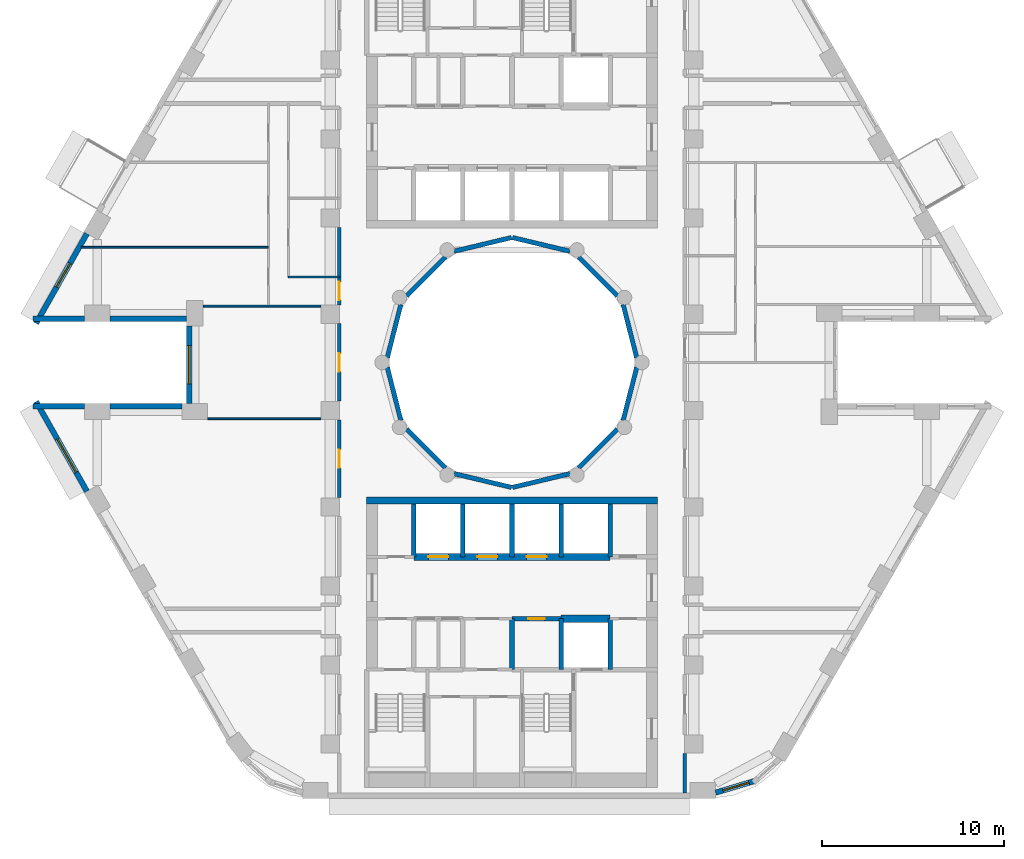
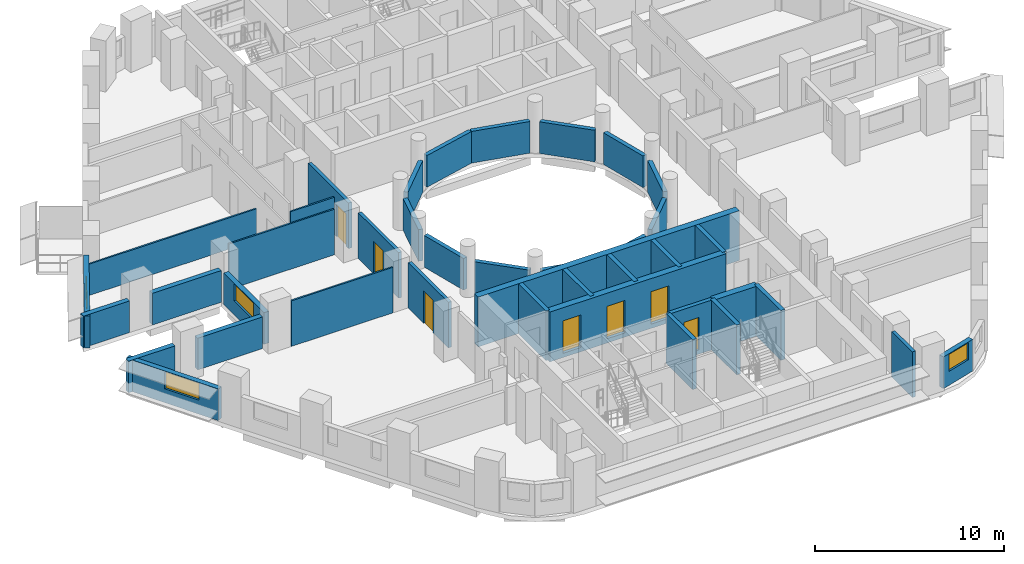
# One storey, part 4 of 14: 40 walls, 7 doors, 4 windows, 11 openings.
"""IFC4 building model written with IfcOpenShell, lengths in metres."""

from ifc_helpers import new_model, si_unit, direction, frame, frame_2d, origin, place, context, subcontext, project, spatial, rectangle, extrude, material, layer, layer_set, type_object, element, fill, save


model = new_model("IFC4")

# Units and contexts
model_context = context("Model", 3, precision=1e-05, world=origin(), true_north=direction((0.0, 1.0)))
body_context = subcontext(model_context, "Body", "Model", "MODEL_VIEW")
ifc_project = project(units=[si_unit("LENGTHUNIT", "METRE"), si_unit("AREAUNIT", "SQUARE_METRE"), si_unit("VOLUMEUNIT", "CUBIC_METRE"), si_unit("PLANEANGLEUNIT", "RADIAN"), si_unit("MASSUNIT", "GRAM", prefix="KILO")], contexts=[model_context])

# Site, building, storey
site_placement = place(None, origin())
site = spatial("IfcSite", under=ifc_project, at=site_placement, CompositionType="ELEMENT")
building_placement = place(site_placement, origin())
building = spatial("IfcBuilding", under=site, at=building_placement, Name="Nakaniwa Court", CompositionType="ELEMENT")
storey_placement = place(building_placement, frame((0.0, 0.0, 117.300048828125)))
storey = spatial("IfcBuildingStorey", under=building, at=storey_placement, Name="L31", CompositionType="ELEMENT", Elevation=117.300048828125)

# Wall
ifc_material_1 = material(Name="Acoustic double stud partition")
ifc_layer_1 = layer(ifc_material_1, 0.199951171875)
ifc_layer_set_1 = layer_set([ifc_layer_1], Name="Acoustic double stud partition")
wall_type_1 = type_object("IfcWallType", Name="Acoustic double stud partition 200", PredefinedType="PARTITIONING", material=ifc_layer_set_1)
wall_1_placement = place(storey_placement, frame((89.5, 56.300048828125, 0.0), z_axis=(0.0, 0.0, 1.0), x_axis=(0.0, 1.0, 0.0)))
element("IfcWall", 1, at=wall_1_placement, inside=storey, type_object=wall_type_1, Name="Partition PW-069", PredefinedType="PARTITIONING", context=body_context, shape_type="SweptSolid", body=[
    extrude(rectangle(XDim=2.182861328125, YDim=0.199951171875, at=frame_2d((1.09130859375, 0.0))), origin(), (0.0, 0.0, 1.0), 2.949951171875),
])

# Wall, opening, door
wall_2_placement = place(storey_placement, frame((70.5, 72.56689453125, 0.0), z_axis=(0.0, 0.0, 1.0), x_axis=(0.0, 1.0, 0.0)))
wall_2 = element("IfcWall", 2, at=wall_2_placement, inside=storey, type_object=wall_type_1, Name="Partition PW-103", PredefinedType="PARTITIONING", context=body_context, shape_type="SweptSolid", body=[
    extrude(rectangle(XDim=4.26611328125, YDim=0.199951171875, at=frame_2d((2.133056640625, 0.0))), origin(), (0.0, 0.0, 1.0), 2.949951171875),
])
opening_1_placement = place(wall_2_placement, frame((1.633056640625, 0.0, 0.0)))
opening_1 = element("IfcOpeningElement", 3, at=opening_1_placement, cuts=wall_2, Name="Opening D-02-05", PredefinedType="OPENING", context=body_context, shape_type="SweptSolid", body=[
    extrude(rectangle(XDim=1.0, YDim=2.10009765625, at=frame_2d((0.5, 1.050048828125))), frame((0.0, 0.10986328125, 0.0), z_axis=(0.0, -1.0, 0.0), x_axis=(1.0, 0.0, 0.0)), (0.0, 0.0, 1.0), 0.219970703125),
])
ifc_material_2 = material(Name="Solid core timber door set, black veneer", Category="wood")
door_type_1 = type_object("IfcDoorType", Name="Internal door 1000", OperationType="NOTDEFINED", PredefinedType="DOOR", material=ifc_material_2)
door_1_placement = place(opening_1_placement, origin())
door_1 = element("IfcDoor", 4, at=door_1_placement, inside=storey, type_object=door_type_1, Name="Door D-02-05 L31-037", OperationType="SINGLE_SWING_RIGHT", OverallHeight=2.10009765625, OverallWidth=1.0, PredefinedType="DOOR", context=body_context, shape_type="SweptSolid", body=[
    extrude(rectangle(XDim=1.0, YDim=2.10009765625, at=frame_2d((0.5, 1.050048828125))), frame((0.0, 0.02490234375, 0.0), z_axis=(0.0, -1.0, 0.0), x_axis=(1.0, 0.0, 0.0)), (0.0, 0.0, 1.0), 0.050048828125),
])
fill(opening_1, door_1)

wall_3_placement = place(storey_placement, frame((70.5, 77.866943359375, 0.0), z_axis=(0.0, 0.0, 1.0), x_axis=(0.0, 1.0, 0.0)))
wall_3 = element("IfcWall", 5, at=wall_3_placement, inside=storey, type_object=wall_type_1, Name="Partition PW-104", PredefinedType="PARTITIONING", context=body_context, shape_type="SweptSolid", body=[
    extrude(rectangle(XDim=4.26611328125, YDim=0.199951171875, at=frame_2d((2.133056640625, 0.0))), origin(), (0.0, 0.0, 1.0), 2.949951171875),
])
opening_2_placement = place(wall_3_placement, frame((1.633056640625, 0.0, 0.0)))
opening_2 = element("IfcOpeningElement", 6, at=opening_2_placement, cuts=wall_3, Name="Opening D-02-06", PredefinedType="OPENING", context=body_context, shape_type="SweptSolid", body=[
    extrude(rectangle(XDim=1.0, YDim=2.10009765625, at=frame_2d((0.5, 1.050048828125))), frame((0.0, 0.10986328125, 0.0), z_axis=(0.0, -1.0, 0.0), x_axis=(1.0, 0.0, 0.0)), (0.0, 0.0, 1.0), 0.219970703125),
])
door_2_placement = place(opening_2_placement, origin())
door_2 = element("IfcDoor", 7, at=door_2_placement, inside=storey, type_object=door_type_1, Name="Door D-02-06 L31-038", OperationType="SINGLE_SWING_LEFT", OverallHeight=2.10009765625, OverallWidth=1.0, PredefinedType="DOOR", context=body_context, shape_type="SweptSolid", body=[
    extrude(rectangle(XDim=1.0, YDim=2.10009765625, at=frame_2d((0.5, 1.050048828125))), frame((0.0, 0.02490234375, 0.0), z_axis=(0.0, -1.0, 0.0), x_axis=(1.0, 0.0, 0.0)), (0.0, 0.0, 1.0), 0.050048828125),
])
fill(opening_2, door_2)

wall_4_placement = place(storey_placement, frame((70.5, 83.1669921875, 0.0), z_axis=(0.0, 0.0, 1.0), x_axis=(0.0, 1.0, 0.0)))
wall_4 = element("IfcWall", 8, at=wall_4_placement, inside=storey, type_object=wall_type_1, Name="Partition PW-105", PredefinedType="PARTITIONING", context=body_context, shape_type="SweptSolid", body=[
    extrude(rectangle(XDim=4.26611328125, YDim=0.199951171875, at=frame_2d((2.133056640625, 0.0))), origin(), (0.0, 0.0, 1.0), 2.949951171875),
])
opening_3_placement = place(wall_4_placement, frame((0.26806640625, 0.0, 0.0)))
opening_3 = element("IfcOpeningElement", 9, at=opening_3_placement, cuts=wall_4, Name="Opening D-01-02", PredefinedType="OPENING", context=body_context, shape_type="SweptSolid", body=[
    extrude(rectangle(XDim=1.0, YDim=2.10009765625, at=frame_2d((0.5, 1.050048828125))), frame((0.0, 0.10986328125, 0.0), z_axis=(0.0, -1.0, 0.0), x_axis=(1.0, 0.0, 0.0)), (0.0, 0.0, 1.0), 0.219970703125),
])
door_type_2 = type_object("IfcDoorType", Name="Flat entrance door 1000", OperationType="NOTDEFINED", PredefinedType="DOOR", material=ifc_material_2)
door_3_placement = place(opening_3_placement, origin())
door_3 = element("IfcDoor", 10, at=door_3_placement, inside=storey, type_object=door_type_2, Name="Door D-01-02 L31-039", OperationType="SINGLE_SWING_RIGHT", OverallHeight=2.10009765625, OverallWidth=1.0, PredefinedType="DOOR", context=body_context, shape_type="SweptSolid", body=[
    extrude(rectangle(XDim=1.0, YDim=2.10009765625, at=frame_2d((0.5, 1.050048828125))), frame((0.0, 0.02490234375, 0.0), z_axis=(0.0, -1.0, 0.0), x_axis=(1.0, 0.0, 0.0)), (0.0, 0.0, 1.0), 0.050048828125),
])
fill(opening_3, door_3)

# Wall, opening, window
ifc_material_3 = material(Name="Charcoal ceramic cladding")
ifc_layer_2 = layer(ifc_material_3, 0.02, Name="Ceramic cladding")
ifc_material_4 = material(Name="Ventilated air cavity")
ifc_layer_3 = layer(ifc_material_4, 0.04, ventilated=True, Name="Ventilated cavity")
ifc_material_5 = material(Name="Mineral wool insulation")
ifc_layer_4 = layer(ifc_material_5, 0.1, Name="Insulation")
ifc_material_6 = material(Name="Cement bonded sheathing board")
ifc_layer_5 = layer(ifc_material_6, 0.012, Name="Sheathing")
ifc_material_7 = material(Name="Cold-formed galvanised stud frame with mineral wool infill")
ifc_layer_6 = layer(ifc_material_7, 0.1, Name="Stud frame")
ifc_material_8 = material(Name="Fire-rated gypsum plasterboard lining")
ifc_layer_7 = layer(ifc_material_8, 0.028, Name="Lining")
ifc_layer_set_2 = layer_set([ifc_layer_2, ifc_layer_3, ifc_layer_4, ifc_layer_5, ifc_layer_6, ifc_layer_7], Name="Charcoal ceramic faced external wall system")
wall_type_2 = type_object("IfcWallType", Name="Black ceramic faced external wall 300", PredefinedType="SOLIDWALL", material=ifc_layer_set_2)
wall_5_placement = place(storey_placement, frame((56.609375, 87.09375, 0.0), z_axis=(0.0, 0.0, 1.0), x_axis=(-0.492456858874, -0.870336855561, 0.0)))
wall_5 = element("IfcWall", 11, at=wall_5_placement, inside=storey, type_object=wall_type_2, Name="L31 external wall 14", PredefinedType="SOLIDWALL", context=body_context, shape_type="SweptSolid", body=[
    extrude(rectangle(XDim=5.676513671875, YDim=0.300048828125, at=frame_2d((2.83837890625, 0.0))), origin(), (0.0, 0.0, 1.0), 2.050048828125),
])
opening_4_placement = place(wall_5_placement, frame((1.8828125, 0.0, 0.89990234375)))
opening_4 = element("IfcOpeningElement", 12, at=opening_4_placement, cuts=wall_5, Name="Opening W5.12", PredefinedType="OPENING", context=body_context, shape_type="SweptSolid", body=[
    extrude(rectangle(XDim=1.5, YDim=1.10009765625, at=frame_2d((0.75, 0.550048828125))), frame((0.0, 0.159912109375, 0.0), z_axis=(0.0, -1.0, 0.0), x_axis=(1.0, 0.0, 0.0)), (0.0, 0.0, 1.0), 0.320068359375),
])
ifc_material_9 = material(Name="Black anodised aluminium frame with dark low-E laminated double glazing", Category="aluminium")
window_type_1 = type_object("IfcWindowType", Name="Dark glass window 1500x1100 sill 900", PartitioningType="SINGLE_PANEL", PredefinedType="WINDOW", material=ifc_material_9)
window_1_placement = place(opening_4_placement, origin())
window_1 = element("IfcWindow", 13, at=window_1_placement, inside=storey, type_object=window_type_1, Name="L31 bedroom window 14-1", OverallHeight=1.10009765625, OverallWidth=1.5, PartitioningType="SINGLE_PANEL", PredefinedType="WINDOW", context=body_context, shape_type="SweptSolid", body=[
    extrude(rectangle(XDim=1.5, YDim=1.10009765625, at=frame_2d((0.75, 0.550048828125))), frame((0.0, 0.030029296875, 0.0), z_axis=(0.0, -1.0, 0.0), x_axis=(1.0, 0.0, 0.0)), (0.0, 0.0, 1.0), 0.06005859375),
])
fill(opening_4, window_1)

# Walls
wall_6_placement = place(storey_placement, frame((53.643310546875, 82.39990234375, 0.0), z_axis=(0.0, 0.0, 1.0), x_axis=(1.0, 0.0, 0.0)))
element("IfcWall", 14, at=wall_6_placement, inside=storey, type_object=wall_type_2, Name="L31 external wall 15", PredefinedType="SOLIDWALL", context=body_context, shape_type="SweptSolid", body=[
    extrude(rectangle(XDim=2.837890625, YDim=0.300048828125, at=frame_2d((1.4189453125, 0.0))), origin(), (0.0, 0.0, 1.0), 2.050048828125),
])
wall_7_placement = place(storey_placement, frame((57.873046875, 82.39990234375, 0.0), z_axis=(0.0, 0.0, 1.0), x_axis=(1.0, 0.0, 0.0)))
element("IfcWall", 15, at=wall_7_placement, inside=storey, type_object=wall_type_2, Name="L31 external wall 16", PredefinedType="SOLIDWALL", context=body_context, shape_type="SweptSolid", body=[
    extrude(rectangle(XDim=4.22265625, YDim=0.300048828125, at=frame_2d((2.111328125, 0.0))), origin(), (0.0, 0.0, 1.0), 2.050048828125),
])

# Wall, opening, window
wall_8_placement = place(storey_placement, frame((62.24169921875, 82.00390625, 0.0), z_axis=(0.0, 0.0, 1.0), x_axis=(0.0, -1.0, 0.0)))
wall_8 = element("IfcWall", 16, at=wall_8_placement, inside=storey, type_object=wall_type_2, Name="L31 external wall 17", PredefinedType="SOLIDWALL", context=body_context, shape_type="SweptSolid", body=[
    extrude(rectangle(XDim=4.2578125, YDim=0.300048828125, at=frame_2d((2.12890625, 0.0))), origin(), (0.0, 0.0, 1.0), 2.050048828125),
])
opening_5_placement = place(wall_8_placement, frame((1.0791015625, 0.0, 0.89990234375)))
opening_5 = element("IfcOpeningElement", 17, at=opening_5_placement, cuts=wall_8, Name="Opening W7.13", PredefinedType="OPENING", context=body_context, shape_type="SweptSolid", body=[
    extrude(rectangle(XDim=2.10009765625, YDim=1.10009765625, at=frame_2d((1.050048828125, 0.550048828125))), frame((0.0, 0.159912109375, 0.0), z_axis=(0.0, -1.0, 0.0), x_axis=(1.0, 0.0, 0.0)), (0.0, 0.0, 1.0), 0.320068359375),
])
window_type_2 = type_object("IfcWindowType", Name="Dark glass window 2100x1100 sill 900", PartitioningType="SINGLE_PANEL", PredefinedType="WINDOW", material=ifc_material_9)
window_2_placement = place(opening_5_placement, origin())
window_2 = element("IfcWindow", 18, at=window_2_placement, inside=storey, type_object=window_type_2, Name="L31 habitable room window 17-0", OverallHeight=1.10009765625, OverallWidth=2.10009765625, PartitioningType="SINGLE_PANEL", PredefinedType="WINDOW", context=body_context, shape_type="SweptSolid", body=[
    extrude(rectangle(XDim=2.10009765625, YDim=1.10009765625, at=frame_2d((1.050048828125, 0.550048828125))), frame((0.0, 0.030029296875, 0.0), z_axis=(0.0, -1.0, 0.0), x_axis=(1.0, 0.0, 0.0)), (0.0, 0.0, 1.0), 0.06005859375),
])
fill(opening_5, window_2)

# Walls
wall_9_placement = place(storey_placement, frame((61.845703125, 77.60009765625, 0.0), z_axis=(0.0, 0.0, 1.0), x_axis=(-1.0, 0.0, 0.0)))
element("IfcWall", 19, at=wall_9_placement, inside=storey, type_object=wall_type_2, Name="L31 external wall 18", PredefinedType="SOLIDWALL", context=body_context, shape_type="SweptSolid", body=[
    extrude(rectangle(XDim=3.97265625, YDim=0.300048828125, at=frame_2d((1.986328125, 0.0))), origin(), (0.0, 0.0, 1.0), 2.050048828125),
])
wall_10_placement = place(storey_placement, frame((56.481201171875, 77.60009765625, 0.0), z_axis=(0.0, 0.0, 1.0), x_axis=(-1.0, 0.0, 0.0)))
element("IfcWall", 20, at=wall_10_placement, inside=storey, type_object=wall_type_2, Name="L31 external wall 19", PredefinedType="SOLIDWALL", context=body_context, shape_type="SweptSolid", body=[
    extrude(rectangle(XDim=2.837890625, YDim=0.300048828125, at=frame_2d((1.4189453125, 0.0))), origin(), (0.0, 0.0, 1.0), 2.050048828125),
])

# Wall, opening, window
wall_11_placement = place(storey_placement, frame((53.81396484375, 77.8466796875, 0.0), z_axis=(0.0, 0.0, 1.0), x_axis=(0.492456858874, -0.870336855561, 0.0)))
wall_11 = element("IfcWall", 21, at=wall_11_placement, inside=storey, type_object=wall_type_2, Name="L31 external wall 20", PredefinedType="SOLIDWALL", context=body_context, shape_type="SweptSolid", body=[
    extrude(rectangle(XDim=5.676513671875, YDim=0.300048828125, at=frame_2d((2.83837890625, 0.0))), origin(), (0.0, 0.0, 1.0), 2.050048828125),
])
opening_6_placement = place(wall_11_placement, frame((2.367431640625, 0.0, 0.89990234375)))
opening_6 = element("IfcOpeningElement", 22, at=opening_6_placement, cuts=wall_11, Name="Opening W7.14", PredefinedType="OPENING", context=body_context, shape_type="SweptSolid", body=[
    extrude(rectangle(XDim=2.10009765625, YDim=1.10009765625, at=frame_2d((1.050048828125, 0.550048828125))), frame((0.0, 0.159912109375, 0.0), z_axis=(0.0, -1.0, 0.0), x_axis=(1.0, 0.0, 0.0)), (0.0, 0.0, 1.0), 0.320068359375),
])
window_3_placement = place(opening_6_placement, origin())
window_3 = element("IfcWindow", 23, at=window_3_placement, inside=storey, type_object=window_type_2, Name="L31 habitable room window 20-0", OverallHeight=1.10009765625, OverallWidth=2.10009765625, PartitioningType="SINGLE_PANEL", PredefinedType="WINDOW", context=body_context, shape_type="SweptSolid", body=[
    extrude(rectangle(XDim=2.10009765625, YDim=1.10009765625, at=frame_2d((1.050048828125, 0.550048828125))), frame((0.0, 0.030029296875, 0.0), z_axis=(0.0, -1.0, 0.0), x_axis=(1.0, 0.0, 0.0)), (0.0, 0.0, 1.0), 0.06005859375),
])
fill(opening_6, window_3)

wall_12_placement = place(storey_placement, frame((91.203369140625, 56.329833984375, 0.0), z_axis=(0.0, 0.0, 1.0), x_axis=(0.95847736903, 0.285168604614, 0.0)))
wall_12 = element("IfcWall", 24, at=wall_12_placement, inside=storey, type_object=wall_type_2, Name="L31 external wall 27", PredefinedType="SOLIDWALL", context=body_context, shape_type="SweptSolid", body=[
    extrude(rectangle(XDim=2.261962890625, YDim=0.300048828125, at=frame_2d((1.130859375, 0.0))), origin(), (0.0, 0.0, 1.0), 2.050048828125),
])
opening_7_placement = place(wall_12_placement, frame((0.418701171875, 0.0, 0.89990234375)))
opening_7 = element("IfcOpeningElement", 25, at=opening_7_placement, cuts=wall_12, Name="Opening W5.21", PredefinedType="OPENING", context=body_context, shape_type="SweptSolid", body=[
    extrude(rectangle(XDim=1.5, YDim=1.10009765625, at=frame_2d((0.75, 0.550048828125))), frame((0.0, 0.159912109375, 0.0), z_axis=(0.0, -1.0, 0.0), x_axis=(1.0, 0.0, 0.0)), (0.0, 0.0, 1.0), 0.320068359375),
])
window_4_placement = place(opening_7_placement, origin())
window_4 = element("IfcWindow", 26, at=window_4_placement, inside=storey, type_object=window_type_1, Name="L31 habitable room window 27-0", OverallHeight=1.10009765625, OverallWidth=1.5, PartitioningType="SINGLE_PANEL", PredefinedType="WINDOW", context=body_context, shape_type="SweptSolid", body=[
    extrude(rectangle(XDim=1.5, YDim=1.10009765625, at=frame_2d((0.75, 0.550048828125))), frame((0.0, 0.030029296875, 0.0), z_axis=(0.0, -1.0, 0.0), x_axis=(1.0, 0.0, 0.0)), (0.0, 0.0, 1.0), 0.06005859375),
])
fill(opening_7, window_4)

# Walls
ifc_layer_8 = layer(ifc_material_3, 0.02, Name="Ceramic cladding")
ifc_layer_9 = layer(ifc_material_4, 0.04, ventilated=True, Name="Ventilated cavity")
ifc_layer_10 = layer(ifc_material_5, 0.075, Name="Insulation")
ifc_layer_11 = layer(ifc_material_6, 0.012, Name="Sheathing")
ifc_layer_12 = layer(ifc_material_7, 0.075, Name="Stud frame")
ifc_layer_13 = layer(ifc_material_8, 0.028, Name="Lining")
ifc_layer_set_3 = layer_set([ifc_layer_8, ifc_layer_9, ifc_layer_10, ifc_layer_11, ifc_layer_12, ifc_layer_13], Name="Charcoal ceramic faced external wall system")
wall_type_3 = type_object("IfcWallType", Name="Charcoal ceramic faced well wall 250", PredefinedType="SOLIDWALL", material=ifc_layer_set_3)
wall_13_placement = place(storey_placement, frame((86.8603515625, 79.72998046875, 0.0), z_axis=(0.0, 0.0, 1.0), x_axis=(-0.247055971283, -0.969001211069, 0.0)))
element("IfcWall", 27, at=wall_13_placement, inside=storey, type_object=wall_type_3, Name="L31 external wall 36", PredefinedType="SOLIDWALL", context=body_context, shape_type="SweptSolid", body=[
    extrude(rectangle(XDim=3.010009765625, YDim=0.25, at=frame_2d((1.5048828125, 0.0))), origin(), (0.0, 0.0, 1.0), 2.050048828125),
])
wall_14_placement = place(storey_placement, frame((85.8056640625, 76.339111328125, 0.0), z_axis=(0.0, 0.0, 1.0), x_axis=(-0.707106781187, -0.707106781187, 0.0)))
element("IfcWall", 28, at=wall_14_placement, inside=storey, type_object=wall_type_3, Name="L31 external wall 37", PredefinedType="SOLIDWALL", context=body_context, shape_type="SweptSolid", body=[
    extrude(rectangle(XDim=3.033203125, YDim=0.25, at=frame_2d((1.5166015625, 0.0))), origin(), (0.0, 0.0, 1.0), 2.050048828125),
])
for number, where, z_axis, x_axis, name in (
    (29, (83.186279296875, 73.880615234375, 0.0), (0.0, 0.0, 1.0), (-0.972773113459, -0.231759508395, 0.0), "L31 external wall 38"),
    (30, (79.970947265625, 73.12841796875, 0.0), (0.0, 0.0, 1.0), (-0.972773113459, 0.231759508395, 0.0), "L31 external wall 39"),
):
    element("IfcWall", number, at=place(storey_placement, frame(where, z_axis=z_axis, x_axis=x_axis)), inside=storey, type_object=wall_type_3, Name=name, PredefinedType="SOLIDWALL", context=body_context, shape_type="SweptSolid", body=[
        extrude(rectangle(XDim=3.24560546875, YDim=0.25, at=frame_2d((1.622802734375, 0.0))), origin(), (0.0, 0.0, 1.0), 2.050048828125),
    ])
wall_15_placement = place(storey_placement, frame((76.339111328125, 74.1943359375, 0.0), z_axis=(0.0, 0.0, 1.0), x_axis=(-0.707106781187, 0.707106781187, 0.0)))
element("IfcWall", 31, at=wall_15_placement, inside=storey, type_object=wall_type_3, Name="L31 external wall 40", PredefinedType="SOLIDWALL", context=body_context, shape_type="SweptSolid", body=[
    extrude(rectangle(XDim=3.033203125, YDim=0.25, at=frame_2d((1.5166015625, 0.0))), origin(), (0.0, 0.0, 1.0), 2.050048828125),
])
for number, where, z_axis, x_axis, name in (
    (32, (73.88330078125, 76.813232421875, 0.0), (0.0, 0.0, 1.0), (-0.247055971283, 0.969001211069, 0.0), "L31 external wall 41"),
    (33, (73.1396484375, 80.27001953125, 0.0), (0.0, 0.0, 1.0), (0.247055971283, 0.969001211069, 0.0), "L31 external wall 42"),
):
    element("IfcWall", number, at=place(storey_placement, frame(where, z_axis=z_axis, x_axis=x_axis)), inside=storey, type_object=wall_type_3, Name=name, PredefinedType="SOLIDWALL", context=body_context, shape_type="SweptSolid", body=[
        extrude(rectangle(XDim=3.010009765625, YDim=0.25, at=frame_2d((1.5048828125, 0.0))), origin(), (0.0, 0.0, 1.0), 2.050048828125),
    ])
wall_16_placement = place(storey_placement, frame((74.1943359375, 83.660888671875, 0.0), z_axis=(0.0, 0.0, 1.0), x_axis=(0.707106781187, 0.707106781187, 0.0)))
element("IfcWall", 34, at=wall_16_placement, inside=storey, type_object=wall_type_3, Name="L31 external wall 43", PredefinedType="SOLIDWALL", context=body_context, shape_type="SweptSolid", body=[
    extrude(rectangle(XDim=3.033203125, YDim=0.25, at=frame_2d((1.5166015625, 0.0))), origin(), (0.0, 0.0, 1.0), 2.050048828125),
])
for number, where, z_axis, x_axis, name in (
    (35, (76.813720703125, 86.119384765625, 0.0), (0.0, 0.0, 1.0), (0.972773113459, 0.231759508395, 0.0), "L31 external wall 44"),
    (36, (80.029052734375, 86.87158203125, 0.0), (0.0, 0.0, 1.0), (0.972773113459, -0.231759508395, 0.0), "L31 external wall 45"),
):
    element("IfcWall", number, at=place(storey_placement, frame(where, z_axis=z_axis, x_axis=x_axis)), inside=storey, type_object=wall_type_3, Name=name, PredefinedType="SOLIDWALL", context=body_context, shape_type="SweptSolid", body=[
        extrude(rectangle(XDim=3.24560546875, YDim=0.25, at=frame_2d((1.622802734375, 0.0))), origin(), (0.0, 0.0, 1.0), 2.050048828125),
    ])
wall_17_placement = place(storey_placement, frame((83.660888671875, 85.8056640625, 0.0), z_axis=(0.0, 0.0, 1.0), x_axis=(0.707106781187, -0.707106781187, 0.0)))
element("IfcWall", 37, at=wall_17_placement, inside=storey, type_object=wall_type_3, Name="L31 external wall 46", PredefinedType="SOLIDWALL", context=body_context, shape_type="SweptSolid", body=[
    extrude(rectangle(XDim=3.033203125, YDim=0.25, at=frame_2d((1.5166015625, 0.0))), origin(), (0.0, 0.0, 1.0), 2.050048828125),
])
wall_18_placement = place(storey_placement, frame((86.11669921875, 83.186767578125, 0.0), z_axis=(0.0, 0.0, 1.0), x_axis=(0.247055971283, -0.969001211069, 0.0)))
element("IfcWall", 38, at=wall_18_placement, inside=storey, type_object=wall_type_3, Name="L31 external wall 47", PredefinedType="SOLIDWALL", context=body_context, shape_type="SweptSolid", body=[
    extrude(rectangle(XDim=3.010009765625, YDim=0.25, at=frame_2d((1.5048828125, 0.0))), origin(), (0.0, 0.0, 1.0), 2.050048828125),
])

# Wall, openings, doors
ifc_material_10 = material(Name="Concrete C80/100", Category="concrete")
ifc_layer_14 = layer(ifc_material_10, 0.39990234375)
ifc_layer_set_4 = layer_set([ifc_layer_14], Name="Concrete C80/100")
wall_type_4 = type_object("IfcWallType", Name="Concrete core spine wall 400 C80", PredefinedType="SHEAR", material=ifc_layer_set_4)
wall_19_placement = place(storey_placement, frame((74.60009765625, 69.300048828125, -0.275146484375), z_axis=(0.0, 0.0, 1.0), x_axis=(1.0, 0.0, 0.0)))
wall_19 = element("IfcWall", 39, at=wall_19_placement, inside=storey, type_object=wall_type_4, Name="Core wall SW-41", PredefinedType="SHEAR", context=body_context, shape_type="SweptSolid", body=[
    extrude(rectangle(XDim=10.7998046875, YDim=0.39990234375, at=frame_2d((5.39990234375, 0.0))), origin(), (0.0, 0.0, 1.0), 3.22509765625),
])
opening_8_placement = place(wall_19_placement, frame((0.800048828125, 0.0, 0.27490234375)))
opening_8 = element("IfcOpeningElement", 40, at=opening_8_placement, cuts=wall_19, Name="Opening LD05", PredefinedType="OPENING", context=body_context, shape_type="SweptSolid", body=[
    extrude(rectangle(XDim=1.10009765625, YDim=2.10009765625, at=frame_2d((0.550048828125, 1.050048828125))), frame((0.0, 0.2099609375, 0.0), z_axis=(0.0, -1.0, 0.0), x_axis=(1.0, 0.0, 0.0)), (0.0, 0.0, 1.0), 0.419921875),
])
opening_9_placement = place(wall_19_placement, frame((3.5, 0.0, 0.27490234375)))
opening_9 = element("IfcOpeningElement", 41, at=opening_9_placement, cuts=wall_19, Name="Opening LD06", PredefinedType="OPENING", context=body_context, shape_type="SweptSolid", body=[
    extrude(rectangle(XDim=1.10009765625, YDim=2.10009765625, at=frame_2d((0.550048828125, 1.050048828125))), frame((0.0, 0.2099609375, 0.0), z_axis=(0.0, -1.0, 0.0), x_axis=(1.0, 0.0, 0.0)), (0.0, 0.0, 1.0), 0.419921875),
])
opening_10_placement = place(wall_19_placement, frame((6.199951171875, 0.0, 0.27490234375)))
opening_10 = element("IfcOpeningElement", 42, at=opening_10_placement, cuts=wall_19, Name="Opening LD07", PredefinedType="OPENING", context=body_context, shape_type="SweptSolid", body=[
    extrude(rectangle(XDim=1.10009765625, YDim=2.10009765625, at=frame_2d((0.550048828125, 1.050048828125))), frame((0.0, 0.2099609375, 0.0), z_axis=(0.0, -1.0, 0.0), x_axis=(1.0, 0.0, 0.0)), (0.0, 0.0, 1.0), 0.419921875),
])
ifc_material_11 = material(Name="Stainless steel sliding lift landing door", Category="steel")
door_type_3 = type_object("IfcDoorType", Name="Lift landing door 1100", OperationType="NOTDEFINED", PredefinedType="DOOR", material=ifc_material_11)
door_4_placement = place(opening_8_placement, origin())
door_4 = element("IfcDoor", 43, at=door_4_placement, inside=storey, type_object=door_type_3, Name="Lift landing door LD05 L31-005", OperationType="SLIDING_TO_LEFT", OverallHeight=2.10009765625, OverallWidth=1.10009765625, PredefinedType="DOOR", context=body_context, shape_type="SweptSolid", body=[
    extrude(rectangle(XDim=1.10009765625, YDim=2.10009765625, at=frame_2d((0.550048828125, 1.050048828125))), frame((0.0, 0.02490234375, 0.0), z_axis=(0.0, -1.0, 0.0), x_axis=(1.0, 0.0, 0.0)), (0.0, 0.0, 1.0), 0.050048828125),
])
fill(opening_8, door_4)
door_5_placement = place(opening_9_placement, origin())
door_5 = element("IfcDoor", 44, at=door_5_placement, inside=storey, type_object=door_type_3, Name="Lift landing door LD06 L31-006", OperationType="SLIDING_TO_LEFT", OverallHeight=2.10009765625, OverallWidth=1.10009765625, PredefinedType="DOOR", context=body_context, shape_type="SweptSolid", body=[
    extrude(rectangle(XDim=1.10009765625, YDim=2.10009765625, at=frame_2d((0.550048828125, 1.050048828125))), frame((0.0, 0.02490234375, 0.0), z_axis=(0.0, -1.0, 0.0), x_axis=(1.0, 0.0, 0.0)), (0.0, 0.0, 1.0), 0.050048828125),
])
fill(opening_9, door_5)
door_6_placement = place(opening_10_placement, origin())
door_6 = element("IfcDoor", 45, at=door_6_placement, inside=storey, type_object=door_type_3, Name="Lift landing door LD07 L31-007", OperationType="SLIDING_TO_LEFT", OverallHeight=2.10009765625, OverallWidth=1.10009765625, PredefinedType="DOOR", context=body_context, shape_type="SweptSolid", body=[
    extrude(rectangle(XDim=1.10009765625, YDim=2.10009765625, at=frame_2d((0.550048828125, 1.050048828125))), frame((0.0, 0.02490234375, 0.0), z_axis=(0.0, -1.0, 0.0), x_axis=(1.0, 0.0, 0.0)), (0.0, 0.0, 1.0), 0.050048828125),
])
fill(opening_10, door_6)

# Walls
wall_20_placement = place(storey_placement, frame((82.697021484375, 65.89990234375, -0.275146484375), z_axis=(0.0, 0.0, 1.0), x_axis=(1.0, 0.0, 0.0)))
element("IfcWall", 46, at=wall_20_placement, inside=storey, type_object=wall_type_4, Name="Core wall SW-55", PredefinedType="SHEAR", context=body_context, shape_type="SweptSolid", body=[
    extrude(rectangle(XDim=2.7060546875, YDim=0.39990234375, at=frame_2d((1.35302734375, 0.0))), origin(), (0.0, 0.0, 1.0), 3.22509765625),
])
ifc_layer_15 = layer(ifc_material_10, 0.39990234375)
ifc_layer_set_5 = layer_set([ifc_layer_15], Name="Concrete C80/100")
wall_type_5 = type_object("IfcWallType", Name="Concrete core well wall 400 C80", PredefinedType="SHEAR", material=ifc_layer_set_5)
wall_21_placement = place(storey_placement, frame((72.00390625, 72.39990234375, -0.275146484375), z_axis=(0.0, 0.0, 1.0), x_axis=(1.0, 0.0, 0.0)))
element("IfcWall", 47, at=wall_21_placement, inside=storey, type_object=wall_type_5, Name="Core wall SW-129", PredefinedType="SHEAR", context=body_context, shape_type="SweptSolid", body=[
    extrude(rectangle(XDim=15.9921875, YDim=0.39990234375, at=frame_2d((7.99609375, 0.0))), origin(), (0.0, 0.0, 1.0), 3.22509765625),
])
ifc_layer_16 = layer(ifc_material_10, 0.25)
ifc_layer_set_6 = layer_set([ifc_layer_16], Name="Concrete C80/100")
wall_type_6 = type_object("IfcWallType", Name="Concrete shaft wall 250 C80", PredefinedType="SHEAR", material=ifc_layer_set_6)
for number, where, z_axis, x_axis, name in (
    (48, (74.60009765625, 69.300048828125, -0.275146484375), (0.0, 0.0, 1.0), (0.0, 1.0, 0.0), "Core wall SW-36"),
    (49, (77.300048828125, 69.300048828125, -0.275146484375), (0.0, 0.0, 1.0), (0.0, 1.0, 0.0), "Core wall SW-40"),
):
    element("IfcWall", number, at=place(storey_placement, frame(where, z_axis=z_axis, x_axis=x_axis)), inside=storey, type_object=wall_type_6, Name=name, PredefinedType="SHEAR", context=body_context, shape_type="SweptSolid", body=[
        extrude(rectangle(XDim=2.89990234375, YDim=0.25, at=frame_2d((1.449951171875, 0.0))), origin(), (0.0, 0.0, 1.0), 3.22509765625),
    ])
wall_22_placement = place(storey_placement, frame((80.0, 63.10009765625, -0.275146484375), z_axis=(0.0, 0.0, 1.0), x_axis=(0.0, 1.0, 0.0)))
element("IfcWall", 50, at=wall_22_placement, inside=storey, type_object=wall_type_6, Name="Core wall SW-42", PredefinedType="SHEAR", context=body_context, shape_type="SweptSolid", body=[
    extrude(rectangle(XDim=2.7998046875, YDim=0.25, at=frame_2d((1.39990234375, 0.0))), origin(), (0.0, 0.0, 1.0), 3.22509765625),
])
wall_23_placement = place(storey_placement, frame((80.0, 69.300048828125, -0.275146484375), z_axis=(0.0, 0.0, 1.0), x_axis=(0.0, 1.0, 0.0)))
element("IfcWall", 51, at=wall_23_placement, inside=storey, type_object=wall_type_6, Name="Core wall SW-43", PredefinedType="SHEAR", context=body_context, shape_type="SweptSolid", body=[
    extrude(rectangle(XDim=2.89990234375, YDim=0.25, at=frame_2d((1.449951171875, 0.0))), origin(), (0.0, 0.0, 1.0), 3.22509765625),
])
wall_24_placement = place(storey_placement, frame((82.699951171875, 63.10009765625, -0.275146484375), z_axis=(0.0, 0.0, 1.0), x_axis=(0.0, 1.0, 0.0)))
element("IfcWall", 52, at=wall_24_placement, inside=storey, type_object=wall_type_6, Name="Core wall SW-44", PredefinedType="SHEAR", context=body_context, shape_type="SweptSolid", body=[
    extrude(rectangle(XDim=2.7998046875, YDim=0.25, at=frame_2d((1.39990234375, 0.0))), origin(), (0.0, 0.0, 1.0), 3.22509765625),
])
wall_25_placement = place(storey_placement, frame((82.699951171875, 69.300048828125, -0.275146484375), z_axis=(0.0, 0.0, 1.0), x_axis=(0.0, 1.0, 0.0)))
element("IfcWall", 53, at=wall_25_placement, inside=storey, type_object=wall_type_6, Name="Core wall SW-45", PredefinedType="SHEAR", context=body_context, shape_type="SweptSolid", body=[
    extrude(rectangle(XDim=2.89990234375, YDim=0.25, at=frame_2d((1.449951171875, 0.0))), origin(), (0.0, 0.0, 1.0), 3.22509765625),
])
wall_26_placement = place(storey_placement, frame((85.39990234375, 63.10009765625, -0.275146484375), z_axis=(0.0, 0.0, 1.0), x_axis=(0.0, 1.0, 0.0)))
element("IfcWall", 54, at=wall_26_placement, inside=storey, type_object=wall_type_6, Name="Core wall SW-46", PredefinedType="SHEAR", context=body_context, shape_type="SweptSolid", body=[
    extrude(rectangle(XDim=2.7998046875, YDim=0.25, at=frame_2d((1.39990234375, 0.0))), origin(), (0.0, 0.0, 1.0), 3.22509765625),
])
wall_27_placement = place(storey_placement, frame((85.39990234375, 69.300048828125, -0.275146484375), z_axis=(0.0, 0.0, 1.0), x_axis=(0.0, 1.0, 0.0)))
element("IfcWall", 55, at=wall_27_placement, inside=storey, type_object=wall_type_6, Name="Core wall SW-47", PredefinedType="SHEAR", context=body_context, shape_type="SweptSolid", body=[
    extrude(rectangle(XDim=2.89990234375, YDim=0.25, at=frame_2d((1.449951171875, 0.0))), origin(), (0.0, 0.0, 1.0), 3.22509765625),
])

# Wall, opening, door
wall_28_placement = place(storey_placement, frame((82.702880859375, 65.89990234375, -0.275146484375), z_axis=(0.0, 0.0, 1.0), x_axis=(-1.0, 0.0, 0.0)))
wall_28 = element("IfcWall", 56, at=wall_28_placement, inside=storey, type_object=wall_type_6, Name="Core wall SW-54", PredefinedType="SHEAR", context=body_context, shape_type="SweptSolid", body=[
    extrude(rectangle(XDim=2.705810546875, YDim=0.25, at=frame_2d((1.35302734375, 0.0))), origin(), (0.0, 0.0, 1.0), 3.22509765625),
])
opening_11_placement = place(wall_28_placement, frame((0.903076171875, 0.0, 0.27490234375)))
opening_11 = element("IfcOpeningElement", 57, at=opening_11_placement, cuts=wall_28, Name="Opening D-05-13", PredefinedType="OPENING", context=body_context, shape_type="SweptSolid", body=[
    extrude(rectangle(XDim=0.89990234375, YDim=2.10009765625, at=frame_2d((0.449951171875, 1.050048828125))), frame((0.0, 0.135009765625, 0.0), z_axis=(0.0, -1.0, 0.0), x_axis=(1.0, 0.0, 0.0)), (0.0, 0.0, 1.0), 0.27001953125),
])
ifc_material_12 = material(Name="Fire rated steel door set", Category="steel")
door_type_4 = type_object("IfcDoorType", Name="Service room door 900", OperationType="NOTDEFINED", PredefinedType="DOOR", material=ifc_material_12)
door_7_placement = place(opening_11_placement, origin())
door_7 = element("IfcDoor", 58, at=door_7_placement, inside=storey, type_object=door_type_4, Name="Door D-05-13 L31-020", OperationType="SINGLE_SWING_LEFT", OverallHeight=2.10009765625, OverallWidth=0.89990234375, PredefinedType="DOOR", context=body_context, shape_type="SweptSolid", body=[
    extrude(rectangle(XDim=0.89990234375, YDim=2.10009765625, at=frame_2d((0.449951171875, 1.050048828125))), frame((0.0, 0.02490234375, 0.0), z_axis=(0.0, -1.0, 0.0), x_axis=(1.0, 0.0, 0.0)), (0.0, 0.0, 1.0), 0.050048828125),
])
fill(opening_11, door_7)

# Walls
ifc_material_13 = material(Name="Single stud plasterboard partition")
ifc_layer_17 = layer(ifc_material_13, 0.10009765625)
ifc_layer_set_7 = layer_set([ifc_layer_17], Name="Single stud plasterboard partition")
wall_type_7 = type_object("IfcWallType", Name="Single stud plasterboard partition 100", PredefinedType="PARTITIONING", material=ifc_layer_set_7)
wall_29_placement = place(storey_placement, frame((63.26171875, 76.89990234375, 0.0), z_axis=(0.0, 0.0, 1.0), x_axis=(1.0, 0.0, 0.0)))
element("IfcWall", 59, at=wall_29_placement, inside=storey, type_object=wall_type_7, Name="Partition PW-119", PredefinedType="PARTITIONING", context=body_context, shape_type="SweptSolid", body=[
    extrude(rectangle(XDim=6.21826171875, YDim=0.10009765625, at=frame_2d((3.109130859375, 0.0))), origin(), (0.0, 0.0, 1.0), 2.949951171875),
])
wall_30_placement = place(storey_placement, frame((63.01171875, 83.10009765625, 0.0), z_axis=(0.0, 0.0, 1.0), x_axis=(1.0, 0.0, 0.0)))
element("IfcWall", 60, at=wall_30_placement, inside=storey, type_object=wall_type_7, Name="Partition PW-120", PredefinedType="PARTITIONING", context=body_context, shape_type="SweptSolid", body=[
    extrude(rectangle(XDim=6.46826171875, YDim=0.10009765625, at=frame_2d((3.234130859375, 0.0))), origin(), (0.0, 0.0, 1.0), 2.949951171875),
])
wall_31_placement = place(storey_placement, frame((67.699951171875, 84.699951171875, 0.0), z_axis=(0.0, 0.0, 1.0), x_axis=(1.0, 0.0, 0.0)))
element("IfcWall", 61, at=wall_31_placement, inside=storey, type_object=wall_type_7, Name="Partition PW-122", PredefinedType="PARTITIONING", context=body_context, shape_type="SweptSolid", body=[
    extrude(rectangle(XDim=2.800048828125, YDim=0.10009765625, at=frame_2d((1.39990234375, 0.0))), origin(), (0.0, 0.0, 1.0), 2.429931640625),
])
wall_32_placement = place(storey_placement, frame((56.29248046875, 86.3369140625, 0.0), z_axis=(0.0, 0.0, 1.0), x_axis=(1.0, 0.0, 0.0)))
element("IfcWall", 62, at=wall_32_placement, inside=storey, type_object=wall_type_7, Name="Partition PW-125", PredefinedType="PARTITIONING", context=body_context, shape_type="SweptSolid", body=[
    extrude(rectangle(XDim=10.3076171875, YDim=0.10009765625, at=frame_2d((5.15380859375, 0.0))), origin(), (0.0, 0.0, 1.0), 2.030029296875),
])

save(model, "model.ifc")
